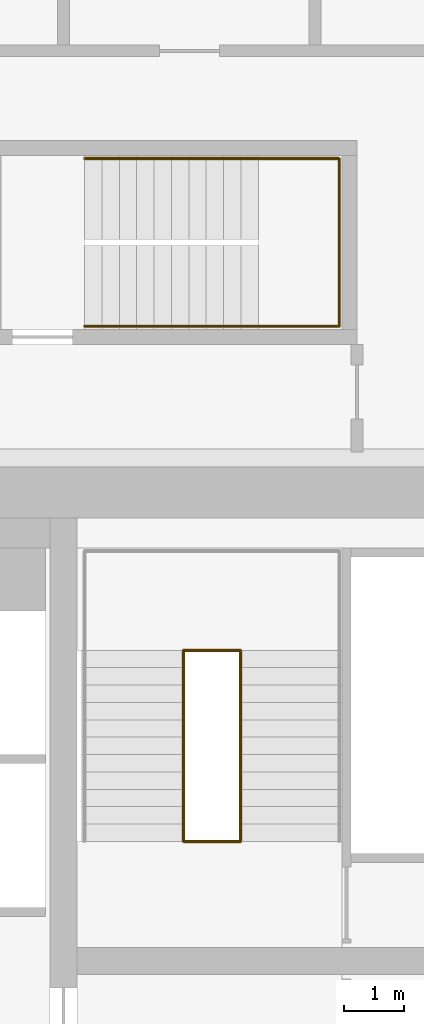
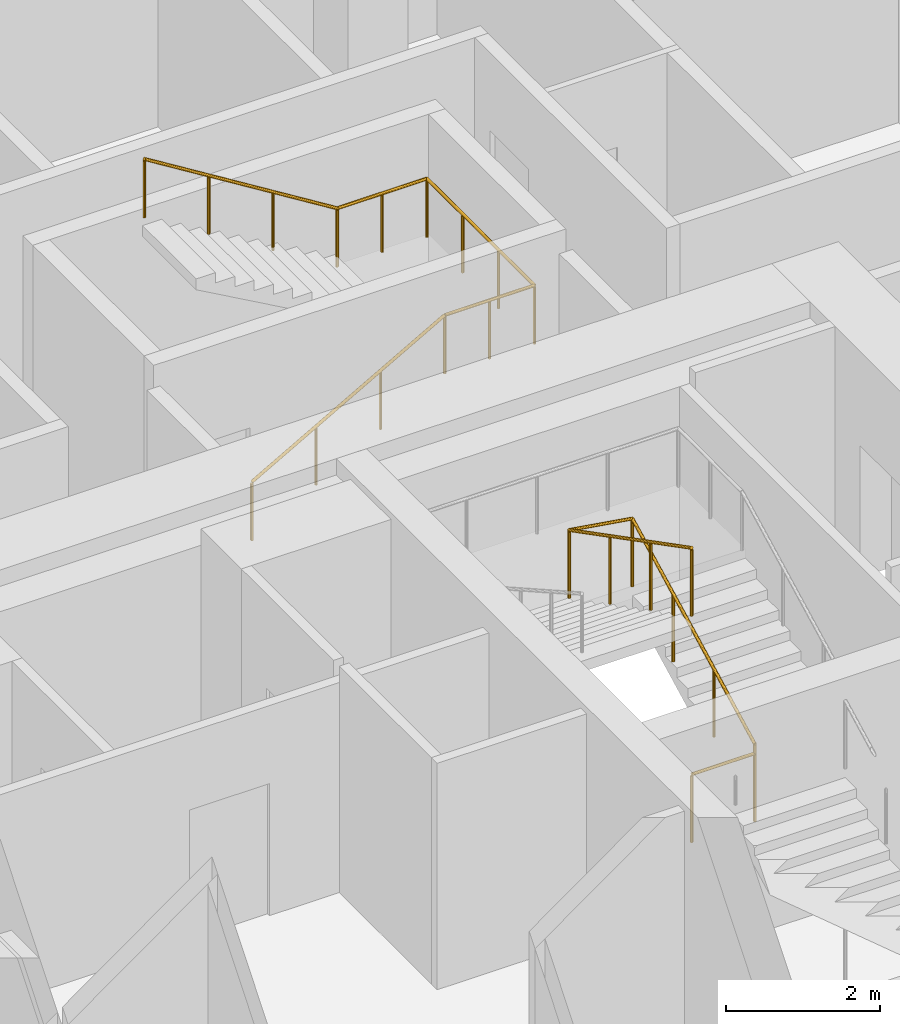
# One storey, part 23 of 23: 2 railings.
"""IFC4 building model written with IfcOpenShell, lengths in metres."""

from ifc_helpers import new_model, si_unit, direction, frame, origin, origin_2d, place, context, subcontext, project, spatial, circle, extrude, material, type_object, element, save


model = new_model("IFC4")

# Units and contexts
model_context = context("Model", 3, precision=1e-05, world=origin(), true_north=direction((0.0, 1.0)))
body_context = subcontext(model_context, "Body", "Model", "MODEL_VIEW")
ifc_project = project(units=[si_unit("LENGTHUNIT", "METRE"), si_unit("AREAUNIT", "SQUARE_METRE"), si_unit("VOLUMEUNIT", "CUBIC_METRE"), si_unit("PLANEANGLEUNIT", "RADIAN"), si_unit("MASSUNIT", "GRAM", prefix="KILO")], contexts=[model_context])

# Site, building, storey
site_placement = place(None, origin())
site = spatial("IfcSite", under=ifc_project, at=site_placement, CompositionType="ELEMENT")
building_placement = place(site_placement, origin())
building = spatial("IfcBuilding", under=site, at=building_placement, Name="Marenta Gate Hotel Tower", CompositionType="ELEMENT")
storey_placement = place(building_placement, frame((0.0, 0.0, 155.300048828125)))
storey = spatial("IfcBuildingStorey", under=building, at=storey_placement, Name="L36", CompositionType="ELEMENT", Elevation=155.300048828125)

# Railings
ifc_material_1 = material(Name="Stainless steel", Category="steel")
railing_type_1 = type_object("IfcRailingType", Name="Core stair handrail 950", PredefinedType="HANDRAIL", material=ifc_material_1)
railing_1_placement = place(storey_placement, frame((4.550048828125, 19.0, 0.16357421875)))
element("IfcRailing", 1, at=railing_1_placement, inside=storey, type_object=railing_type_1, Name="HR-950 L36-RS-Z2-4-KR-1", PredefinedType="HANDRAIL", context=body_context, shape_type="SweptSolid", body=[
    extrude(circle(Radius=0.02392578125, at=origin_2d()), frame((0.0, 0.0, 0.92578125), z_axis=(0.870897200241, 0.0, 0.491465224214), x_axis=(0.0, 1.0, 0.0)), (0.0, 0.0, 1.0), 3.329833984375),
    extrude(circle(Radius=0.02392578125, at=origin_2d()), frame((2.89990234375, 0.0, 2.5625), z_axis=(1.0, 0.0, 0.0), x_axis=(0.0, 1.0, 0.0)), (0.0, 0.0, 1.0), 1.35009765625),
    extrude(circle(Radius=0.02392578125, at=origin_2d()), frame((4.25, 0.0, 2.5625), z_axis=(0.0, 1.0, 0.0), x_axis=(-1.0, 0.0, 0.0)), (0.0, 0.0, 1.0), 2.800048828125),
    extrude(circle(Radius=0.02392578125, at=origin_2d()), frame((4.25, 2.800048828125, 2.5625), z_axis=(-1.0, 0.0, 0.0), x_axis=(0.0, -1.0, 0.0)), (0.0, 0.0, 1.0), 1.35009765625),
    extrude(circle(Radius=0.02392578125, at=origin_2d()), frame((2.89990234375, 2.800048828125, 2.5625), z_axis=(-0.849657849183, 0.0, 0.527334371458), x_axis=(0.0, -1.0, 0.0)), (0.0, 0.0, 1.0), 3.4130859375),
    extrude(circle(Radius=0.02099609375, at=origin_2d()), origin(), (0.0, 0.0, 1.0), 0.90185546875),
    extrude(circle(Radius=0.02099609375, at=origin_2d()), frame((0.966552734375, 0.0, 0.54541015625)), (0.0, 0.0, 1.0), 0.90185546875),
    extrude(circle(Radius=0.02099609375, at=origin_2d()), frame((1.933349609375, 0.0, 1.091064453125)), (0.0, 0.0, 1.0), 0.90185546875),
    extrude(circle(Radius=0.02099609375, at=origin_2d()), frame((2.89990234375, 0.0, 1.636474609375)), (0.0, 0.0, 1.0), 0.90185546875),
    extrude(circle(Radius=0.02099609375, at=origin_2d()), frame((3.574951171875, 0.0, 1.636474609375)), (0.0, 0.0, 1.0), 0.90185546875),
    extrude(circle(Radius=0.02099609375, at=origin_2d()), frame((4.25, 0.0, 1.636474609375)), (0.0, 0.0, 1.0), 0.90185546875),
    extrude(circle(Radius=0.02099609375, at=origin_2d()), frame((4.25, 0.933349609375, 1.636474609375)), (0.0, 0.0, 1.0), 0.90185546875),
    extrude(circle(Radius=0.02099609375, at=origin_2d()), frame((4.25, 1.86669921875, 1.636474609375)), (0.0, 0.0, 1.0), 0.90185546875),
    extrude(circle(Radius=0.02099609375, at=origin_2d()), frame((4.25, 2.800048828125, 1.636474609375)), (0.0, 0.0, 1.0), 0.90185546875),
    extrude(circle(Radius=0.02099609375, at=origin_2d()), frame((3.574951171875, 2.800048828125, 1.636474609375)), (0.0, 0.0, 1.0), 0.90185546875),
    extrude(circle(Radius=0.02099609375, at=origin_2d()), frame((2.89990234375, 2.800048828125, 1.636474609375)), (0.0, 0.0, 1.0), 0.90185546875),
    extrude(circle(Radius=0.02099609375, at=origin_2d()), frame((1.933349609375, 2.800048828125, 2.236328125)), (0.0, 0.0, 1.0), 0.90185546875),
    extrude(circle(Radius=0.02099609375, at=origin_2d()), frame((0.966552734375, 2.800048828125, 2.83642578125)), (0.0, 0.0, 1.0), 0.90185546875),
    extrude(circle(Radius=0.02099609375, at=origin_2d()), frame((0.0, 2.800048828125, 3.436279296875)), (0.0, 0.0, 1.0), 0.90185546875),
])
ifc_material_2 = material(Name="Stainless steel", Category="steel")
railing_type_2 = type_object("IfcRailingType", Name="Core stair well guard 1100", PredefinedType="GUARDRAIL", material=ifc_material_2)
railing_2_placement = place(storey_placement, frame((6.199951171875, 10.39990234375, 0.0)))
element("IfcRailing", 2, at=railing_2_placement, inside=storey, type_object=railing_type_2, Name="GR-1100 L36-KR-ST4-2", PredefinedType="GUARDRAIL", context=body_context, shape_type="SweptSolid", body=[
    extrude(circle(Radius=0.02392578125, at=origin_2d()), frame((0.0, 0.0, 1.076171875), z_axis=(1.0, 0.0, 0.0), x_axis=(0.0, 1.0, 0.0)), (0.0, 0.0, 1.0), 0.949951171875),
    extrude(circle(Radius=0.02392578125, at=origin_2d()), frame((0.949951171875, 0.0, 1.076171875), z_axis=(0.0, 0.0, 1.0), x_axis=(1.0, 0.0, 0.0)), (0.0, 0.0, 1.0), 0.14990234375),
    extrude(circle(Radius=0.02392578125, at=origin_2d()), frame((0.949951171875, 0.0, 1.22607421875), z_axis=(0.0, 0.888211904222, 0.459434013977), x_axis=(-1.0, 0.0, 0.0)), (0.0, 0.0, 1.0), 3.591796875),
    extrude(circle(Radius=0.02392578125, at=origin_2d()), frame((0.949951171875, 3.190185546875, 2.8759765625), z_axis=(-0.987777369502, 0.0, 0.15587131968), x_axis=(0.0, -1.0, 0.0)), (0.0, 0.0, 1.0), 0.961669921875),
    extrude(circle(Radius=0.02392578125, at=origin_2d()), frame((0.0, 3.190185546875, 3.02587890625), z_axis=(0.0, -0.888239641807, 0.459380385653), x_axis=(1.0, 0.0, 0.0)), (0.0, 0.0, 1.0), 3.591552734375),
    extrude(circle(Radius=0.02099609375, at=origin_2d()), origin(), (0.0, 0.0, 1.0), 1.052001953125),
    extrude(circle(Radius=0.02099609375, at=origin_2d()), frame((0.949951171875, 0.0, 0.0)), (0.0, 0.0, 1.0), 1.052001953125),
    extrude(circle(Radius=0.02099609375, at=origin_2d()), frame((0.949951171875, 0.0, 0.14990234375)), (0.0, 0.0, 1.0), 1.052001953125),
    extrude(circle(Radius=0.02099609375, at=origin_2d()), frame((0.949951171875, 1.0634765625, 0.699951171875)), (0.0, 0.0, 1.0), 1.052001953125),
    extrude(circle(Radius=0.02099609375, at=origin_2d()), frame((0.949951171875, 2.126708984375, 1.25)), (0.0, 0.0, 1.0), 1.052001953125),
    extrude(circle(Radius=0.02099609375, at=origin_2d()), frame((0.949951171875, 3.190185546875, 1.800048828125)), (0.0, 0.0, 1.0), 1.052001953125),
    extrude(circle(Radius=0.02099609375, at=origin_2d()), frame((0.0, 3.190185546875, 1.949951171875)), (0.0, 0.0, 1.0), 1.052001953125),
    extrude(circle(Radius=0.02099609375, at=origin_2d()), frame((0.0, 2.126708984375, 2.5)), (0.0, 0.0, 1.0), 1.052001953125),
    extrude(circle(Radius=0.02099609375, at=origin_2d()), frame((0.0, 1.0634765625, 3.0498046875)), (0.0, 0.0, 1.0), 1.052001953125),
    extrude(circle(Radius=0.02099609375, at=origin_2d()), frame((0.0, 0.0, 3.599853515625)), (0.0, 0.0, 1.0), 1.052001953125),
])

save(model, "model.ifc")
